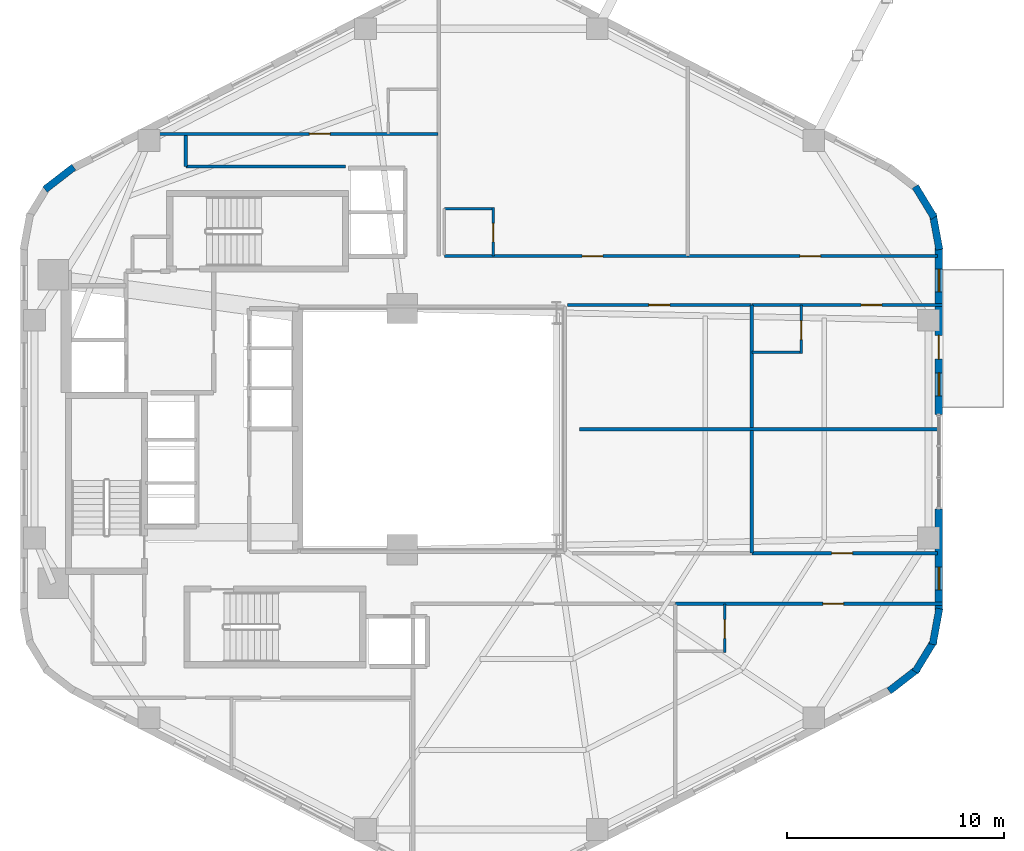
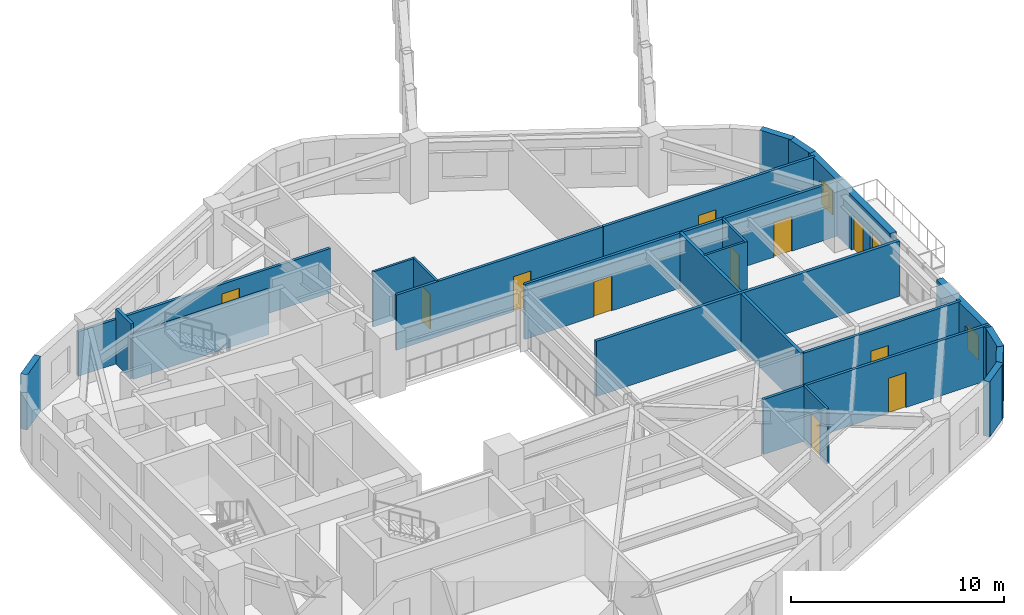
# One storey, part 6 of 9: 25 walls, 11 doors, 3 windows, 14 openings.
"""IFC4 building model written with IfcOpenShell, lengths in metres."""

from ifc_helpers import new_model, si_unit, direction, frame, frame_2d, origin, place, context, subcontext, project, spatial, rectangle, extrude, material, layer, layer_set, type_object, element, fill, save


model = new_model("IFC4")

# Units and contexts
model_context = context("Model", 3, precision=1e-05, world=origin(), true_north=direction((0.0, 1.0)))
body_context = subcontext(model_context, "Body", "Model", "MODEL_VIEW")
ifc_project = project(units=[si_unit("LENGTHUNIT", "METRE"), si_unit("AREAUNIT", "SQUARE_METRE"), si_unit("VOLUMEUNIT", "CUBIC_METRE"), si_unit("PLANEANGLEUNIT", "RADIAN"), si_unit("MASSUNIT", "GRAM", prefix="KILO"), si_unit("THERMODYNAMICTEMPERATUREUNIT", "KELVIN"), si_unit("POWERUNIT", "WATT")], contexts=[model_context])

# Site, building, storey
site_placement = place(None, origin())
site = spatial("IfcSite", under=ifc_project, at=site_placement, CompositionType="ELEMENT")
building_placement = place(site_placement, origin())
building = spatial("IfcBuilding", under=site, at=building_placement, Name="Skarre Station Tower", CompositionType="ELEMENT")
storey_placement = place(building_placement, frame((0.0, 0.0, 108.449951171875)))
storey = spatial("IfcBuildingStorey", under=building, at=storey_placement, Name="L28", CompositionType="ELEMENT", Elevation=108.449951171875)

# Wall, opening, door
ifc_material_1 = material(Name="Acoustic Steel-Stud Gypsum Partition", Category="steel")
ifc_layer_1 = layer(ifc_material_1, 0.14990234375, Name="Acoustic Steel-Stud Gypsum Partition")
ifc_layer_set_1 = layer_set([ifc_layer_1], Name="Acoustic Steel-Stud Gypsum Partition")
wall_type_1 = type_object("IfcWallType", Name="Fire-Rated Corridor Acoustic Partition 150", PredefinedType="PARTITIONING", material=ifc_layer_set_1)
wall_1_placement = place(storey_placement, frame((34.0, 37.580078125, 0.0), z_axis=(0.0, 0.0, 1.0), x_axis=(-1.0, 0.0, 0.0)))
wall_1 = element("IfcWall", 1, at=wall_1_placement, inside=storey, type_object=wall_type_1, Name="L28 Interior Partition WL-PT-L28-NWW1-CW", PredefinedType="PARTITIONING", context=body_context, shape_type="SweptSolid", body=[
    extrude(rectangle(XDim=13.70703125, YDim=0.14990234375, at=frame_2d((6.853515625, 0.0))), origin(), (0.0, 0.0, 1.0), 2.552001953125),
])
opening_1_placement = place(wall_1_placement, frame((4.9599609375, 0.0, 0.0)))
opening_1 = element("IfcOpeningElement", 2, at=opening_1_placement, cuts=wall_1, Name="Opening DR-FD60", PredefinedType="OPENING", context=body_context, shape_type="SweptSolid", body=[
    extrude(rectangle(XDim=0.9599609375, YDim=2.0, at=frame_2d((0.47998046875, 1.0))), frame((0.0, 0.0849609375, 0.0), z_axis=(0.0, -1.0, 0.0), x_axis=(1.0, 0.0, 0.0)), (0.0, 0.0, 1.0), 0.169921875),
])
ifc_material_2 = material(Name="Nordic White-Oak Veneer Solid-Core Fire Leaf", Category="wood")
door_type_1 = type_object("IfcDoorType", Name="Corridor Suite Entry Fire Door FD60 960x2150", OperationType="SINGLE_SWING_LEFT", PredefinedType="DOOR", material=ifc_material_2)
door_1_placement = place(opening_1_placement, origin())
door_1 = element("IfcDoor", 3, at=door_1_placement, inside=storey, type_object=door_type_1, Name="L28 NWW1 Entry Door", OperationType="SINGLE_SWING_LEFT", OverallHeight=2.0, OverallWidth=0.9599609375, PredefinedType="DOOR", context=body_context, shape_type="SweptSolid", body=[
    extrude(rectangle(XDim=0.9599609375, YDim=2.0, at=frame_2d((0.47998046875, 1.0))), frame((0.0, 0.02490234375, 0.0), z_axis=(0.0, -1.0, 0.0), x_axis=(1.0, 0.0, 0.0)), (0.0, 0.0, 1.0), 0.050048828125),
])
fill(opening_1, door_1)

wall_2_placement = place(storey_placement, frame((45.493896484375, 31.9599609375, 0.0), z_axis=(0.0, 0.0, 1.0), x_axis=(-1.0, 0.0, 0.0)))
wall_2 = element("IfcWall", 4, at=wall_2_placement, inside=storey, type_object=wall_type_1, Name="L28 Interior Partition WL-PT-L28-NW1-CW", PredefinedType="PARTITIONING", context=body_context, shape_type="SweptSolid", body=[
    extrude(rectangle(XDim=11.203857421875, YDim=0.14990234375, at=frame_2d((5.60205078125, 0.0))), origin(), (0.0, 0.0, 1.0), 3.16015625),
])
opening_2_placement = place(wall_2_placement, frame((3.903076171875, 0.0, 0.0)))
opening_2 = element("IfcOpeningElement", 5, at=opening_2_placement, cuts=wall_2, Name="Opening DR-FD60", PredefinedType="OPENING", context=body_context, shape_type="SweptSolid", body=[
    extrude(rectangle(XDim=0.9599609375, YDim=2.0, at=frame_2d((0.47998046875, 1.0))), frame((0.0, 0.0849609375, 0.0), z_axis=(0.0, -1.0, 0.0), x_axis=(1.0, 0.0, 0.0)), (0.0, 0.0, 1.0), 0.169921875),
])
door_2_placement = place(opening_2_placement, origin())
door_2 = element("IfcDoor", 6, at=door_2_placement, inside=storey, type_object=door_type_1, Name="L28 NW1 Entry Door", OperationType="SINGLE_SWING_LEFT", OverallHeight=2.0, OverallWidth=0.9599609375, PredefinedType="DOOR", context=body_context, shape_type="SweptSolid", body=[
    extrude(rectangle(XDim=0.9599609375, YDim=2.0, at=frame_2d((0.47998046875, 1.0))), frame((0.0, 0.02490234375, 0.0), z_axis=(0.0, -1.0, 0.0), x_axis=(1.0, 0.0, 0.0)), (0.0, 0.0, 1.0), 0.050048828125),
])
fill(opening_2, door_2)

wall_3_placement = place(storey_placement, frame((56.987060546875, 31.9599609375, 0.0), z_axis=(0.0, 0.0, 1.0), x_axis=(-1.0, 0.0, 0.0)))
wall_3 = element("IfcWall", 7, at=wall_3_placement, inside=storey, type_object=wall_type_1, Name="L28 Interior Partition WL-PT-L28-NW2-CW", PredefinedType="PARTITIONING", context=body_context, shape_type="SweptSolid", body=[
    extrude(rectangle(XDim=11.483154296875, YDim=0.14990234375, at=frame_2d((5.74169921875, 0.0))), origin(), (0.0, 0.0, 1.0), 3.16015625),
])
opening_3_placement = place(wall_3_placement, frame((5.381103515625, 0.0, 0.0)))
opening_3 = element("IfcOpeningElement", 8, at=opening_3_placement, cuts=wall_3, Name="Opening DR-FD60", PredefinedType="OPENING", context=body_context, shape_type="SweptSolid", body=[
    extrude(rectangle(XDim=0.9599609375, YDim=2.0, at=frame_2d((0.47998046875, 1.0))), frame((0.0, 0.0849609375, 0.0), z_axis=(0.0, -1.0, 0.0), x_axis=(1.0, 0.0, 0.0)), (0.0, 0.0, 1.0), 0.169921875),
])
door_3_placement = place(opening_3_placement, origin())
door_3 = element("IfcDoor", 9, at=door_3_placement, inside=storey, type_object=door_type_1, Name="L28 NW2 Entry Door", OperationType="SINGLE_SWING_LEFT", OverallHeight=2.0, OverallWidth=0.9599609375, PredefinedType="DOOR", context=body_context, shape_type="SweptSolid", body=[
    extrude(rectangle(XDim=0.9599609375, YDim=2.0, at=frame_2d((0.47998046875, 1.0))), frame((0.0, 0.02490234375, 0.0), z_axis=(0.0, -1.0, 0.0), x_axis=(1.0, 0.0, 0.0)), (0.0, 0.0, 1.0), 0.050048828125),
])
fill(opening_3, door_3)

wall_4_placement = place(storey_placement, frame((39.949951171875, 29.7099609375, 0.0), z_axis=(0.0, 0.0, 1.0), x_axis=(1.0, 0.0, 0.0)))
wall_4 = element("IfcWall", 10, at=wall_4_placement, inside=storey, type_object=wall_type_1, Name="L28 Interior Partition WL-PT-L28-EWN1-CW", PredefinedType="PARTITIONING", context=body_context, shape_type="SweptSolid", body=[
    extrude(rectangle(XDim=8.468994140625, YDim=0.14990234375, at=frame_2d((4.234375, 0.0))), origin(), (0.0, 0.0, 1.0), 3.16015625),
])
opening_4_placement = place(wall_4_placement, frame((3.75390625, 0.0, 0.0)))
opening_4 = element("IfcOpeningElement", 11, at=opening_4_placement, cuts=wall_4, Name="Opening DR-FD60", PredefinedType="OPENING", context=body_context, shape_type="SweptSolid", body=[
    extrude(rectangle(XDim=0.9599609375, YDim=2.0, at=frame_2d((0.47998046875, 1.0))), frame((0.0, 0.0849609375, 0.0), z_axis=(0.0, -1.0, 0.0), x_axis=(1.0, 0.0, 0.0)), (0.0, 0.0, 1.0), 0.169921875),
])
door_4_placement = place(opening_4_placement, origin())
door_4 = element("IfcDoor", 12, at=door_4_placement, inside=storey, type_object=door_type_1, Name="L28 EWN1 Entry Door", OperationType="SINGLE_SWING_LEFT", OverallHeight=2.0, OverallWidth=0.9599609375, PredefinedType="DOOR", context=body_context, shape_type="SweptSolid", body=[
    extrude(rectangle(XDim=0.9599609375, YDim=2.0, at=frame_2d((0.47998046875, 1.0))), frame((0.0, 0.02490234375, 0.0), z_axis=(0.0, -1.0, 0.0), x_axis=(1.0, 0.0, 0.0)), (0.0, 0.0, 1.0), 0.050048828125),
])
fill(opening_4, door_4)

wall_5_placement = place(storey_placement, frame((48.448974609375, 29.7099609375, 0.0), z_axis=(0.0, 0.0, 1.0), x_axis=(1.0, 0.0, 0.0)))
wall_5 = element("IfcWall", 13, at=wall_5_placement, inside=storey, type_object=wall_type_1, Name="L28 Interior Partition WL-PT-L28-EWN2-CW", PredefinedType="PARTITIONING", context=body_context, shape_type="SweptSolid", body=[
    extrude(rectangle(XDim=8.759033203125, YDim=0.14990234375, at=frame_2d((4.37939453125, 0.0))), origin(), (0.0, 0.0, 1.0), 3.16015625),
])
opening_5_placement = place(wall_5_placement, frame((5.013916015625, 0.0, 0.0)))
opening_5 = element("IfcOpeningElement", 14, at=opening_5_placement, cuts=wall_5, Name="Opening DR-FD60", PredefinedType="OPENING", context=body_context, shape_type="SweptSolid", body=[
    extrude(rectangle(XDim=0.9599609375, YDim=2.0, at=frame_2d((0.47998046875, 1.0))), frame((0.0, 0.0849609375, 0.0), z_axis=(0.0, -1.0, 0.0), x_axis=(1.0, 0.0, 0.0)), (0.0, 0.0, 1.0), 0.169921875),
])
door_5_placement = place(opening_5_placement, origin())
door_5 = element("IfcDoor", 15, at=door_5_placement, inside=storey, type_object=door_type_1, Name="L28 EWN2 Entry Door", OperationType="SINGLE_SWING_LEFT", OverallHeight=2.0, OverallWidth=0.9599609375, PredefinedType="DOOR", context=body_context, shape_type="SweptSolid", body=[
    extrude(rectangle(XDim=0.9599609375, YDim=2.0, at=frame_2d((0.47998046875, 1.0))), frame((0.0, 0.02490234375, 0.0), z_axis=(0.0, -1.0, 0.0), x_axis=(1.0, 0.0, 0.0)), (0.0, 0.0, 1.0), 0.050048828125),
])
fill(opening_5, door_5)

wall_6_placement = place(storey_placement, frame((56.988037109375, 18.2900390625, 0.0), z_axis=(0.0, 0.0, 1.0), x_axis=(-1.0, 0.0, 0.0)))
wall_6 = element("IfcWall", 16, at=wall_6_placement, inside=storey, type_object=wall_type_1, Name="L28 Interior Partition WL-PT-L28-EWS2-CW", PredefinedType="PARTITIONING", context=body_context, shape_type="SweptSolid", body=[
    extrude(rectangle(XDim=8.549072265625, YDim=0.14990234375, at=frame_2d((4.2744140625, 0.0))), origin(), (0.0, 0.0, 1.0), 3.16015625),
])
opening_6_placement = place(wall_6_placement, frame((3.9140625, 0.0, 0.0)))
opening_6 = element("IfcOpeningElement", 17, at=opening_6_placement, cuts=wall_6, Name="Opening DR-FD60", PredefinedType="OPENING", context=body_context, shape_type="SweptSolid", body=[
    extrude(rectangle(XDim=0.9599609375, YDim=2.0, at=frame_2d((0.47998046875, 1.0))), frame((0.0, 0.0849609375, 0.0), z_axis=(0.0, -1.0, 0.0), x_axis=(1.0, 0.0, 0.0)), (0.0, 0.0, 1.0), 0.169921875),
])
door_6_placement = place(opening_6_placement, origin())
door_6 = element("IfcDoor", 18, at=door_6_placement, inside=storey, type_object=door_type_1, Name="L28 EWS2 Entry Door", OperationType="SINGLE_SWING_LEFT", OverallHeight=2.0, OverallWidth=0.9599609375, PredefinedType="DOOR", context=body_context, shape_type="SweptSolid", body=[
    extrude(rectangle(XDim=0.9599609375, YDim=2.0, at=frame_2d((0.47998046875, 1.0))), frame((0.0, 0.02490234375, 0.0), z_axis=(0.0, -1.0, 0.0), x_axis=(1.0, 0.0, 0.0)), (0.0, 0.0, 1.0), 0.050048828125),
])
fill(opening_6, door_6)

wall_7_placement = place(storey_placement, frame((44.93701171875, 15.9599609375, 0.0), z_axis=(0.0, 0.0, 1.0), x_axis=(1.0, 0.0, 0.0)))
wall_7 = element("IfcWall", 19, at=wall_7_placement, inside=storey, type_object=wall_type_1, Name="L28 Interior Partition WL-PT-L28-SW2-CW", PredefinedType="PARTITIONING", context=body_context, shape_type="SweptSolid", body=[
    extrude(rectangle(XDim=12.27099609375, YDim=0.14990234375, at=frame_2d((6.135498046875, 0.0))), origin(), (0.0, 0.0, 1.0), 3.16015625),
])
opening_7_placement = place(wall_7_placement, frame((6.76904296875, 0.0, 0.0)))
opening_7 = element("IfcOpeningElement", 20, at=opening_7_placement, cuts=wall_7, Name="Opening DR-FD60", PredefinedType="OPENING", context=body_context, shape_type="SweptSolid", body=[
    extrude(rectangle(XDim=0.9599609375, YDim=2.0, at=frame_2d((0.47998046875, 1.0))), frame((0.0, 0.0849609375, 0.0), z_axis=(0.0, -1.0, 0.0), x_axis=(1.0, 0.0, 0.0)), (0.0, 0.0, 1.0), 0.169921875),
])
door_7_placement = place(opening_7_placement, origin())
door_7 = element("IfcDoor", 21, at=door_7_placement, inside=storey, type_object=door_type_1, Name="L28 SW2 Entry Door", OperationType="SINGLE_SWING_LEFT", OverallHeight=2.0, OverallWidth=0.9599609375, PredefinedType="DOOR", context=body_context, shape_type="SweptSolid", body=[
    extrude(rectangle(XDim=0.9599609375, YDim=2.0, at=frame_2d((0.47998046875, 1.0))), frame((0.0, 0.02490234375, 0.0), z_axis=(0.0, -1.0, 0.0), x_axis=(1.0, 0.0, 0.0)), (0.0, 0.0, 1.0), 0.050048828125),
])
fill(opening_7, door_7)

# Walls
wall_8_placement = place(storey_placement, frame((29.7529296875, 36.080078125, 0.0), z_axis=(0.0, 0.0, 1.0), x_axis=(-1.0, 0.0, 0.0)))
element("IfcWall", 22, at=wall_8_placement, inside=storey, type_object=wall_type_1, Name="L28 Interior Partition WL-PT-L28-CSEAL-1", PredefinedType="PARTITIONING", context=body_context, shape_type="SweptSolid", body=[
    extrude(rectangle(XDim=7.35302734375, YDim=0.14990234375, at=frame_2d((3.676513671875, 0.0))), origin(), (0.0, 0.0, 1.0), 2.552001953125),
])
wall_9_placement = place(storey_placement, frame((22.39990234375, 36.080078125, 0.0), z_axis=(0.0, 0.0, 1.0), x_axis=(0.0, 1.0, 0.0)))
element("IfcWall", 23, at=wall_9_placement, inside=storey, type_object=wall_type_1, Name="L28 Interior Partition WL-PT-L28-CSEAL-2", PredefinedType="PARTITIONING", context=body_context, shape_type="SweptSolid", body=[
    extrude(rectangle(XDim=1.429931640625, YDim=0.14990234375, at=frame_2d((0.71484375, 0.0))), origin(), (0.0, 0.0, 1.0), 3.16015625),
])

# Wall, opening, door
ifc_material_3 = material(Name="Insulated Timber-Stud Gypsum Partition", Category="wood")
ifc_layer_2 = layer(ifc_material_3, 0.1201171875, Name="Insulated Timber-Stud Gypsum Partition")
ifc_layer_set_2 = layer_set([ifc_layer_2], Name="Insulated Timber-Stud Gypsum Partition")
wall_type_2 = type_object("IfcWallType", Name="Internal Suite Acoustic Partition 120", PredefinedType="PARTITIONING", material=ifc_layer_set_2)
wall_10_placement = place(storey_placement, frame((36.550048828125, 31.9599609375, 0.0), z_axis=(0.0, 0.0, 1.0), x_axis=(0.0, 1.0, 0.0)))
wall_10 = element("IfcWall", 24, at=wall_10_placement, inside=storey, type_object=wall_type_2, Name="L28 Interior Partition WL-PT-L28-NW1-EW2", PredefinedType="PARTITIONING", context=body_context, shape_type="SweptSolid", body=[
    extrude(rectangle(XDim=2.239990234375, YDim=0.1201171875, at=frame_2d((1.1201171875, 0.0))), origin(), (0.0, 0.0, 1.0), 3.16015625),
])
opening_8_placement = place(wall_10_placement, frame((0.64990234375, 0.0, 0.0)))
opening_8 = element("IfcOpeningElement", 25, at=opening_8_placement, cuts=wall_10, Name="Opening DR-INT86", PredefinedType="OPENING", context=body_context, shape_type="SweptSolid", body=[
    extrude(rectangle(XDim=0.860107421875, YDim=2.0, at=frame_2d((0.43017578125, 1.0))), frame((0.0, 0.070068359375, 0.0), z_axis=(0.0, -1.0, 0.0), x_axis=(1.0, 0.0, 0.0)), (0.0, 0.0, 1.0), 0.14013671875),
])
ifc_material_4 = material(Name="Nordic Birch Acoustic Solid-Core Timber Leaf", Category="wood")
door_type_2 = type_object("IfcDoorType", Name="Internal En-Suite & Bedroom Door 860x2100", OperationType="SINGLE_SWING_LEFT", PredefinedType="DOOR", material=ifc_material_4)
door_8_placement = place(opening_8_placement, origin())
door_8 = element("IfcDoor", 26, at=door_8_placement, inside=storey, type_object=door_type_2, Name="L28 NW1 En-suite Door", OperationType="SINGLE_SWING_LEFT", OverallHeight=2.0, OverallWidth=0.860107421875, PredefinedType="DOOR", context=body_context, shape_type="SweptSolid", body=[
    extrude(rectangle(XDim=0.860107421875, YDim=2.0, at=frame_2d((0.43017578125, 1.0))), frame((0.0, 0.02490234375, 0.0), z_axis=(0.0, -1.0, 0.0), x_axis=(1.0, 0.0, 0.0)), (0.0, 0.0, 1.0), 0.050048828125),
])
fill(opening_8, door_8)

# Wall
wall_11_placement = place(storey_placement, frame((36.610107421875, 34.139892578125, 0.0), z_axis=(0.0, 0.0, 1.0), x_axis=(-1.0, 0.0, 0.0)))
element("IfcWall", 27, at=wall_11_placement, inside=storey, type_object=wall_type_2, Name="L28 Interior Partition WL-PT-L28-NW1-EW3", PredefinedType="PARTITIONING", context=body_context, shape_type="SweptSolid", body=[
    extrude(rectangle(XDim=2.320068359375, YDim=0.1201171875, at=frame_2d((1.16015625, 0.0))), origin(), (0.0, 0.0, 1.0), 3.16015625),
])

# Wall, opening, door
wall_12_placement = place(storey_placement, frame((50.708984375, 27.469970703125, 0.0), z_axis=(0.0, 0.0, 1.0), x_axis=(0.0, 1.0, 0.0)))
wall_12 = element("IfcWall", 28, at=wall_12_placement, inside=storey, type_object=wall_type_2, Name="L28 Interior Partition WL-PT-L28-EWN2-EW2", PredefinedType="PARTITIONING", context=body_context, shape_type="SweptSolid", body=[
    extrude(rectangle(XDim=2.239990234375, YDim=0.1201171875, at=frame_2d((1.1201171875, 0.0))), origin(), (0.0, 0.0, 1.0), 3.16015625),
])
opening_9_placement = place(wall_12_placement, frame((0.64990234375, 0.0, 0.0)))
opening_9 = element("IfcOpeningElement", 29, at=opening_9_placement, cuts=wall_12, Name="Opening DR-INT86", PredefinedType="OPENING", context=body_context, shape_type="SweptSolid", body=[
    extrude(rectangle(XDim=0.860107421875, YDim=2.0, at=frame_2d((0.43017578125, 1.0))), frame((0.0, 0.070068359375, 0.0), z_axis=(0.0, -1.0, 0.0), x_axis=(1.0, 0.0, 0.0)), (0.0, 0.0, 1.0), 0.14013671875),
])
door_9_placement = place(opening_9_placement, origin())
door_9 = element("IfcDoor", 30, at=door_9_placement, inside=storey, type_object=door_type_2, Name="L28 EWN2 En-suite Door", OperationType="SINGLE_SWING_RIGHT", OverallHeight=2.0, OverallWidth=0.860107421875, PredefinedType="DOOR", context=body_context, shape_type="SweptSolid", body=[
    extrude(rectangle(XDim=0.860107421875, YDim=2.0, at=frame_2d((0.43017578125, 1.0))), frame((0.0, 0.02490234375, 0.0), z_axis=(0.0, -1.0, 0.0), x_axis=(1.0, 0.0, 0.0)), (0.0, 0.0, 1.0), 0.050048828125),
])
fill(opening_9, door_9)

# Wall
wall_13_placement = place(storey_placement, frame((48.448974609375, 27.530029296875, 0.0), z_axis=(0.0, 0.0, 1.0), x_axis=(1.0, 0.0, 0.0)))
element("IfcWall", 31, at=wall_13_placement, inside=storey, type_object=wall_type_2, Name="L28 Interior Partition WL-PT-L28-EWN2-EW1", PredefinedType="PARTITIONING", context=body_context, shape_type="SweptSolid", body=[
    extrude(rectangle(XDim=2.320068359375, YDim=0.1201171875, at=frame_2d((1.16015625, 0.0))), origin(), (0.0, 0.0, 1.0), 3.16015625),
])

# Wall, opening, door
wall_14_placement = place(storey_placement, frame((47.197021484375, 13.719970703125, 0.0), z_axis=(0.0, 0.0, 1.0), x_axis=(0.0, 1.0, 0.0)))
wall_14 = element("IfcWall", 32, at=wall_14_placement, inside=storey, type_object=wall_type_2, Name="L28 Interior Partition WL-PT-L28-SW2-EW2", PredefinedType="PARTITIONING", context=body_context, shape_type="SweptSolid", body=[
    extrude(rectangle(XDim=2.239990234375, YDim=0.1201171875, at=frame_2d((1.1201171875, 0.0))), origin(), (0.0, 0.0, 1.0), 3.16015625),
])
opening_10_placement = place(wall_14_placement, frame((0.64990234375, 0.0, 0.0)))
opening_10 = element("IfcOpeningElement", 33, at=opening_10_placement, cuts=wall_14, Name="Opening DR-INT86", PredefinedType="OPENING", context=body_context, shape_type="SweptSolid", body=[
    extrude(rectangle(XDim=0.860107421875, YDim=2.0, at=frame_2d((0.43017578125, 1.0))), frame((0.0, 0.070068359375, 0.0), z_axis=(0.0, -1.0, 0.0), x_axis=(1.0, 0.0, 0.0)), (0.0, 0.0, 1.0), 0.14013671875),
])
door_10_placement = place(opening_10_placement, origin())
door_10 = element("IfcDoor", 34, at=door_10_placement, inside=storey, type_object=door_type_2, Name="L28 SW2 En-suite Door", OperationType="SINGLE_SWING_RIGHT", OverallHeight=2.0, OverallWidth=0.860107421875, PredefinedType="DOOR", context=body_context, shape_type="SweptSolid", body=[
    extrude(rectangle(XDim=0.860107421875, YDim=2.0, at=frame_2d((0.43017578125, 1.0))), frame((0.0, 0.02490234375, 0.0), z_axis=(0.0, -1.0, 0.0), x_axis=(1.0, 0.0, 0.0)), (0.0, 0.0, 1.0), 0.050048828125),
])
fill(opening_10, door_10)

# Wall, openings, windows, door
ifc_material_5 = material(Name="Precast concrete C45/55", Category="concrete")
ifc_layer_3 = layer(ifc_material_5, 0.340087890625, Name="Precast concrete C45/55")
ifc_layer_set_3 = layer_set([ifc_layer_3], Name="Precast concrete C45/55")
wall_type_3 = type_object("IfcWallType", Name="Nordic Honed Precast Facet Wall 340", PredefinedType="STANDARD", material=ifc_layer_set_3)
wall_15_placement = place(storey_placement, frame((57.048095703125, 32.35205078125, 0.0), z_axis=(0.0, 0.0, 1.0), x_axis=(0.0, -1.0, 0.0)))
wall_15 = element("IfcWall", 35, at=wall_15_placement, inside=storey, type_object=wall_type_3, Name="L28 Facet 5 Pier A", PredefinedType="STANDARD", context=body_context, shape_type="SweptSolid", body=[
    extrude(rectangle(XDim=7.68408203125, YDim=0.340087890625, at=frame_2d((3.842041015625, 0.0))), origin(), (0.0, 0.0, 1.0), 3.16015625),
])
opening_11_placement = place(wall_15_placement, frame((4.035888671875, 0.0, 0.0)))
opening_11 = element("IfcOpeningElement", 36, at=opening_11_placement, cuts=wall_15, Name="Opening DR-BAL110", PredefinedType="OPENING", context=body_context, shape_type="SweptSolid", body=[
    extrude(rectangle(XDim=1.10009765625, YDim=2.0400390625, at=frame_2d((0.550048828125, 1.02001953125))), frame((0.0, 0.179931640625, 0.0), z_axis=(0.0, -1.0, 0.0), x_axis=(1.0, 0.0, 0.0)), (0.0, 0.0, 1.0), 0.360107421875),
])
opening_12_placement = place(wall_15_placement, frame((0.991943359375, 0.0, 0.75)))
opening_12 = element("IfcOpeningElement", 37, at=opening_12_placement, cuts=wall_15, Name="Opening WN-SLT", PredefinedType="OPENING", context=body_context, shape_type="SweptSolid", body=[
    extrude(rectangle(XDim=1.050048828125, YDim=1.39990234375, at=frame_2d((0.52490234375, 0.699951171875))), frame((0.0, 0.179931640625, 0.0), z_axis=(0.0, -1.0, 0.0), x_axis=(1.0, 0.0, 0.0)), (0.0, 0.0, 1.0), 0.360107421875),
])
opening_13_placement = place(wall_15_placement, frame((5.77001953125, 0.0, 0.75)))
opening_13 = element("IfcOpeningElement", 38, at=opening_13_placement, cuts=wall_15, Name="Opening WN-SLT", PredefinedType="OPENING", context=body_context, shape_type="SweptSolid", body=[
    extrude(rectangle(XDim=1.050048828125, YDim=1.39990234375, at=frame_2d((0.52490234375, 0.699951171875))), frame((0.0, 0.179931640625, 0.0), z_axis=(0.0, -1.0, 0.0), x_axis=(1.0, 0.0, 0.0)), (0.0, 0.0, 1.0), 0.360107421875),
])
ifc_material_6 = material(Name="Low-Iron Triple Glazing with Bronze Anodized Frame", Category="glass")
window_type = type_object("IfcWindowType", Name="Nordic Corner Slot Window 1050x1400", PartitioningType="SINGLE_PANEL", PredefinedType="WINDOW", material=ifc_material_6)
window_1_placement = place(opening_12_placement, origin())
window_1 = element("IfcWindow", 39, at=window_1_placement, inside=storey, type_object=window_type, Name="L28 Facade Window WL-FAC-L28-F5A-1", OverallHeight=1.39990234375, OverallWidth=1.050048828125, PartitioningType="SINGLE_PANEL", PredefinedType="WINDOW", context=body_context, shape_type="SweptSolid", body=[
    extrude(rectangle(XDim=1.050048828125, YDim=1.39990234375, at=frame_2d((0.52490234375, 0.699951171875))), frame((0.0, 0.030029296875, 0.0), z_axis=(0.0, -1.0, 0.0), x_axis=(1.0, 0.0, 0.0)), (0.0, 0.0, 1.0), 0.06005859375),
])
fill(opening_12, window_1)
window_2_placement = place(opening_13_placement, origin())
window_2 = element("IfcWindow", 40, at=window_2_placement, inside=storey, type_object=window_type, Name="L28 Facade Window WL-FAC-L28-F5A-2", OverallHeight=1.39990234375, OverallWidth=1.050048828125, PartitioningType="SINGLE_PANEL", PredefinedType="WINDOW", context=body_context, shape_type="SweptSolid", body=[
    extrude(rectangle(XDim=1.050048828125, YDim=1.39990234375, at=frame_2d((0.52490234375, 0.699951171875))), frame((0.0, 0.030029296875, 0.0), z_axis=(0.0, -1.0, 0.0), x_axis=(1.0, 0.0, 0.0)), (0.0, 0.0, 1.0), 0.06005859375),
])
fill(opening_13, window_2)
ifc_material_7 = material(Name="Thermally Broken Aluminium & Triple Glazing", Category="aluminium")
door_type_3 = type_object("IfcDoorType", Name="Terrace & Tree-Balcony Glazed Door 1100x2200", OperationType="SINGLE_SWING_LEFT", PredefinedType="DOOR", material=ifc_material_7)
door_11_placement = place(opening_11_placement, origin())
door_11 = element("IfcDoor", 41, at=door_11_placement, inside=storey, type_object=door_type_3, Name="L28 SG-1 Conservatory Terrace Door", OperationType="SINGLE_SWING_LEFT", OverallHeight=2.0400390625, OverallWidth=1.10009765625, PredefinedType="DOOR", context=body_context, shape_type="SweptSolid", body=[
    extrude(rectangle(XDim=1.10009765625, YDim=2.0400390625, at=frame_2d((0.550048828125, 1.02001953125))), frame((0.0, 0.02490234375, 0.0), z_axis=(0.0, -1.0, 0.0), x_axis=(1.0, 0.0, 0.0)), (0.0, 0.0, 1.0), 0.050048828125),
])
fill(opening_11, door_11)

# Wall, opening, window
wall_16_placement = place(storey_placement, frame((57.048095703125, 20.324951171875, 0.0), z_axis=(0.0, 0.0, 1.0), x_axis=(0.0, -1.0, 0.0)))
wall_16 = element("IfcWall", 42, at=wall_16_placement, inside=storey, type_object=wall_type_3, Name="L28 Facet 5 Pier B", PredefinedType="STANDARD", context=body_context, shape_type="SweptSolid", body=[
    extrude(rectangle(XDim=4.677001953125, YDim=0.340087890625, at=frame_2d((2.33837890625, 0.0))), origin(), (0.0, 0.0, 1.0), 3.16015625),
])
opening_14_placement = place(wall_16_placement, frame((2.675048828125, 0.0, 0.75)))
opening_14 = element("IfcOpeningElement", 43, at=opening_14_placement, cuts=wall_16, Name="Opening WN-SLT", PredefinedType="OPENING", context=body_context, shape_type="SweptSolid", body=[
    extrude(rectangle(XDim=1.050048828125, YDim=1.39990234375, at=frame_2d((0.52490234375, 0.699951171875))), frame((0.0, 0.179931640625, 0.0), z_axis=(0.0, -1.0, 0.0), x_axis=(1.0, 0.0, 0.0)), (0.0, 0.0, 1.0), 0.360107421875),
])
window_3_placement = place(opening_14_placement, origin())
window_3 = element("IfcWindow", 44, at=window_3_placement, inside=storey, type_object=window_type, Name="L28 Facade Window WL-FAC-L28-F5B-1", OverallHeight=1.39990234375, OverallWidth=1.050048828125, PartitioningType="SINGLE_PANEL", PredefinedType="WINDOW", context=body_context, shape_type="SweptSolid", body=[
    extrude(rectangle(XDim=1.050048828125, YDim=1.39990234375, at=frame_2d((0.52490234375, 0.699951171875))), frame((0.0, 0.030029296875, 0.0), z_axis=(0.0, -1.0, 0.0), x_axis=(1.0, 0.0, 0.0)), (0.0, 0.0, 1.0), 0.06005859375),
])
fill(opening_14, window_3)

# Walls
ifc_layer_4 = layer(ifc_material_5, 0.330078125, Name="Precast concrete C45/55")
ifc_layer_set_4 = layer_set([ifc_layer_4], Name="Precast concrete C45/55")
wall_type_4 = type_object("IfcWallType", Name="Nordic Rounded Corner Precast Wall 330", PredefinedType="STANDARD", material=ifc_layer_set_4)
wall_17_placement = place(storey_placement, frame((55.95703125, 35.1640625, 0.0), z_axis=(0.0, 0.0, 1.0), x_axis=(0.520519429557, -0.853849824883, 0.0)))
element("IfcWall", 45, at=wall_17_placement, inside=storey, type_object=wall_type_4, Name="L28 Rounded Corner Precast Wall F0-2", PredefinedType="STANDARD", context=body_context, shape_type="SweptSolid", body=[
    extrude(rectangle(XDim=1.67724609375, YDim=0.330078125, at=frame_2d((0.838623046875, 0.0))), origin(), (0.0, 0.0, 1.0), 3.16015625),
])
wall_18_placement = place(storey_placement, frame((56.762939453125, 33.906982421875, 0.0), z_axis=(0.0, 0.0, 1.0), x_axis=(0.181984991895, -0.983301308209, 0.0)))
element("IfcWall", 46, at=wall_18_placement, inside=storey, type_object=wall_type_4, Name="L28 Rounded Corner Precast Wall F0-3", PredefinedType="STANDARD", context=body_context, shape_type="SweptSolid", body=[
    extrude(rectangle(XDim=1.677001953125, YDim=0.330078125, at=frame_2d((0.83837890625, 0.0))), origin(), (0.0, 0.0, 1.0), 3.16015625),
])
wall_19_placement = place(storey_placement, frame((15.91796875, 35.02392578125, 0.0), z_axis=(0.0, 0.0, 1.0), x_axis=(0.790621329885, 0.612305408053, 0.0)))
element("IfcWall", 47, at=wall_19_placement, inside=storey, type_object=wall_type_4, Name="L28 Rounded Corner Precast Wall F2-3", PredefinedType="STANDARD", context=body_context, shape_type="SweptSolid", body=[
    extrude(rectangle(XDim=1.67578125, YDim=0.330078125, at=frame_2d((0.837890625, 0.0))), origin(), (0.0, 0.0, 1.0), 3.16015625),
])
wall_20_placement = place(storey_placement, frame((57.068115234375, 15.741943359375, 0.0), z_axis=(0.0, 0.0, 1.0), x_axis=(-0.181984991895, -0.983301308209, 0.0)))
element("IfcWall", 48, at=wall_20_placement, inside=storey, type_object=wall_type_4, Name="L28 Rounded Corner Precast Wall F5-1", PredefinedType="STANDARD", context=body_context, shape_type="SweptSolid", body=[
    extrude(rectangle(XDim=1.677001953125, YDim=0.330078125, at=frame_2d((0.83837890625, 0.0))), origin(), (0.0, 0.0, 1.0), 3.16015625),
])
wall_21_placement = place(storey_placement, frame((56.830078125, 14.26806640625, 0.0), z_axis=(0.0, 0.0, 1.0), x_axis=(-0.520519429557, -0.853849824883, 0.0)))
element("IfcWall", 49, at=wall_21_placement, inside=storey, type_object=wall_type_4, Name="L28 Rounded Corner Precast Wall F5-2", PredefinedType="STANDARD", context=body_context, shape_type="SweptSolid", body=[
    extrude(rectangle(XDim=1.67724609375, YDim=0.330078125, at=frame_2d((0.838623046875, 0.0))), origin(), (0.0, 0.0, 1.0), 3.16015625),
])
wall_22_placement = place(storey_placement, frame((56.08203125, 12.97607421875, 0.0), z_axis=(0.0, 0.0, 1.0), x_axis=(-0.790621329885, -0.612305408053, 0.0)))
element("IfcWall", 50, at=wall_22_placement, inside=storey, type_object=wall_type_4, Name="L28 Rounded Corner Precast Wall F5-3", PredefinedType="STANDARD", context=body_context, shape_type="SweptSolid", body=[
    extrude(rectangle(XDim=1.67578125, YDim=0.330078125, at=frame_2d((0.837890625, 0.0))), origin(), (0.0, 0.0, 1.0), 3.16015625),
])
ifc_layer_5 = layer(ifc_material_1, 0.1650390625, Name="Acoustic Steel-Stud Gypsum Partition")
ifc_layer_set_5 = layer_set([ifc_layer_5], Name="Acoustic Steel-Stud Gypsum Partition")
wall_type_5 = type_object("IfcWallType", Name="Suite Demising Acoustic Partition 165", PredefinedType="PARTITIONING", material=ifc_layer_set_5)
wall_23_placement = place(storey_placement, frame((40.52001953125, 24.0, 0.0), z_axis=(0.0, 0.0, 1.0), x_axis=(1.0, 0.0, 0.0)))
element("IfcWall", 51, at=wall_23_placement, inside=storey, type_object=wall_type_5, Name="L28 Interior Partition WL-PT-L28-EW-Z2MID", PredefinedType="PARTITIONING", context=body_context, shape_type="SweptSolid", body=[
    extrude(rectangle(XDim=16.4580078125, YDim=0.1650390625, at=frame_2d((8.22900390625, 0.0))), origin(), (0.0, 0.0, 1.0), 3.16015625),
])
for number, where, z_axis, x_axis, name in (
    (52, (48.43408203125, 24.070068359375, 0.0), (0.0, 0.0, 1.0), (0.0, 1.0, 0.0), "L28 Interior Partition WL-PT-L28-EWN-P1"),
    (53, (48.43408203125, 18.2900390625, 0.0), (0.0, 0.0, 1.0), (0.0, 1.0, 0.0), "L28 Interior Partition WL-PT-L28-EWS-P1"),
):
    element("IfcWall", number, at=place(storey_placement, frame(where, z_axis=z_axis, x_axis=x_axis)), inside=storey, type_object=wall_type_5, Name=name, PredefinedType="PARTITIONING", context=body_context, shape_type="SweptSolid", body=[
        extrude(rectangle(XDim=5.639892578125, YDim=0.1650390625, at=frame_2d((2.81982421875, 0.0))), origin(), (0.0, 0.0, 1.0), 3.16015625),
    ])

save(model, "model.ifc")
